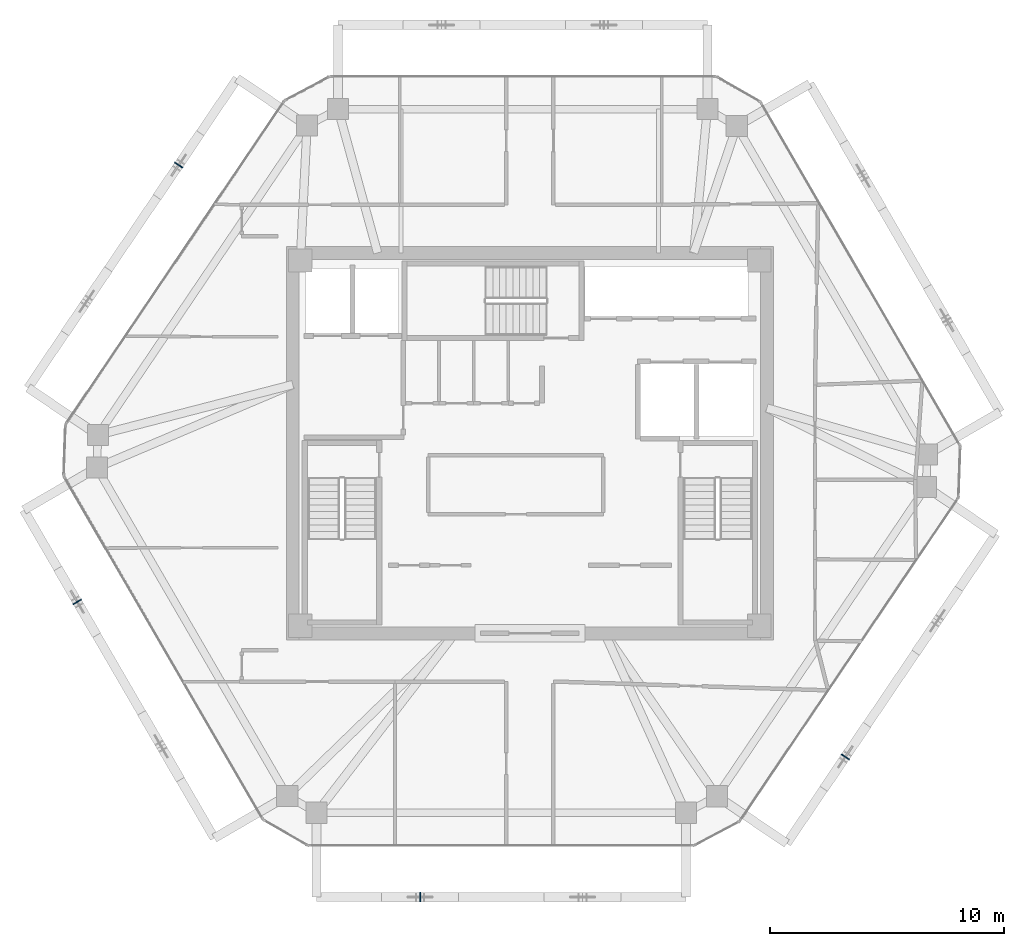
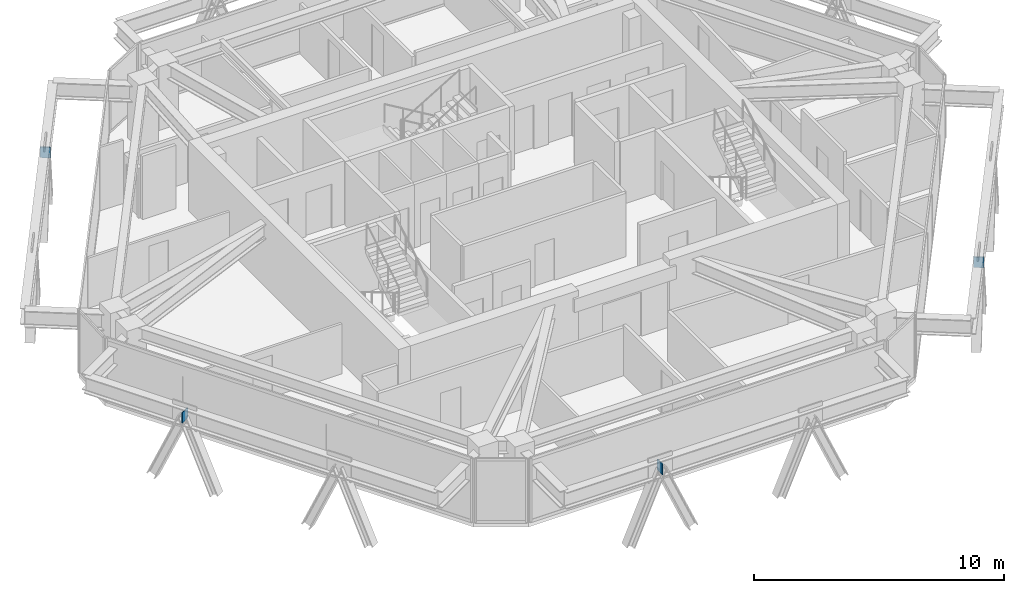
# One storey, part 8 of 14: 4 plates.
"""IFC4 building model written with IfcOpenShell, lengths in metres."""

from ifc_helpers import new_model, si_unit, direction, frame, origin, origin_2d, place, context, subcontext, project, spatial, rectangle, extrude, source, transform, mapped, material, layer, layer_set, type_object, type_shapes, element, save


model = new_model("IFC4")

# Units and contexts
model_context = context("Model", 3, precision=1e-05, world=origin(), true_north=direction((0.0, 1.0)))
body_context = subcontext(model_context, "Body", "Model", "MODEL_VIEW")
ifc_project = project(units=[si_unit("LENGTHUNIT", "METRE"), si_unit("AREAUNIT", "SQUARE_METRE"), si_unit("VOLUMEUNIT", "CUBIC_METRE"), si_unit("PLANEANGLEUNIT", "RADIAN"), si_unit("MASSUNIT", "GRAM", prefix="KILO")], contexts=[model_context])

# Site, building, storey
site_placement = place(None, origin())
site = spatial("IfcSite", under=ifc_project, at=site_placement, CompositionType="ELEMENT")
building_placement = place(site_placement, origin())
building = spatial("IfcBuilding", under=site, at=building_placement, Name="Durnholm Broadcast Tower", CompositionType="ELEMENT")
storey_placement = place(building_placement, frame((0.0, 0.0, 261.5)))
storey = spatial("IfcBuildingStorey", under=building, at=storey_placement, Name="L73", CompositionType="ELEMENT", Elevation=261.5)

# Plates
ifc_material = material(Name="Steel ASTM A572 Grade 50", Category="steel")
ifc_layer = layer(ifc_material, 0.044921875)
ifc_layer_set = layer_set([ifc_layer], Name="Steel ASTM A572 Grade 50")
plate_type = type_object("IfcPlateType", Name="PLT-KN-STIF", PredefinedType="SHEET", material=ifc_layer_set)
shared_shape = source(origin(), body_context, "Body", "SweptSolid", [
    extrude(rectangle(XDim=0.044921875, YDim=0.419921875, at=origin_2d()), origin(), (0.0, 0.0, 1.0), 0.52001953125),
])
type_shapes(plate_type, [shared_shape])
for number, where, z_axis, x_axis, name in (
    (1, (-4.688720703125, -19.385986328125, 2.08837890625), (0.0, 0.0, 1.0), (1.0, 0.0, 0.0), "L73 welded diagrid node stiffener plate F1"),
    (2, (13.47412109375, -13.398193359375, 2.08837890625), (0.0, 0.0, 1.0), (0.560060762816, 0.828451532652, 0.0), "L73 welded diagrid node stiffener plate F2"),
    (3, (-14.998046875, 11.874267578125, 2.08837890625), (0.0, 0.0, 1.0), (-0.560060762816, -0.828451532652, 0.0), "L73 welded diagrid node stiffener plate F5"),
    (4, (-19.330810546875, -6.77880859375, 2.08837890625), (0.0, 0.0, 1.0), (0.501963660617, -0.864888711581, 0.0), "L73 welded diagrid node stiffener plate F6"),
):
    element("IfcPlate", number, at=place(storey_placement, frame(where, z_axis=z_axis, x_axis=x_axis)), inside=storey, type_object=plate_type, Name=name, PredefinedType="SHEET", context=body_context, shape_type="MappedRepresentation", body=[
        mapped(shared_shape, transform((0.0, 0.0, 0.0), x_axis=(1.0, 0.0, 0.0), y_axis=(0.0, 1.0, 0.0), z_axis=(0.0, 0.0, 1.0), scale=1.0)),
    ])

save(model, "model.ifc")
